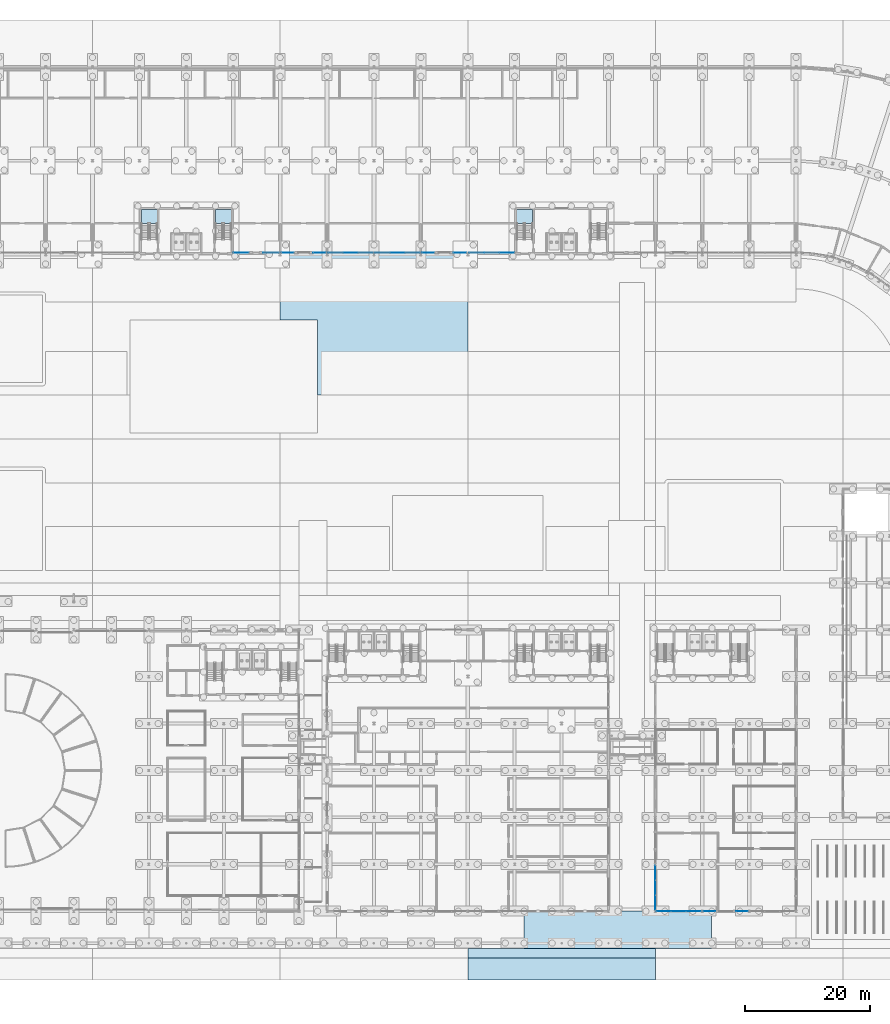
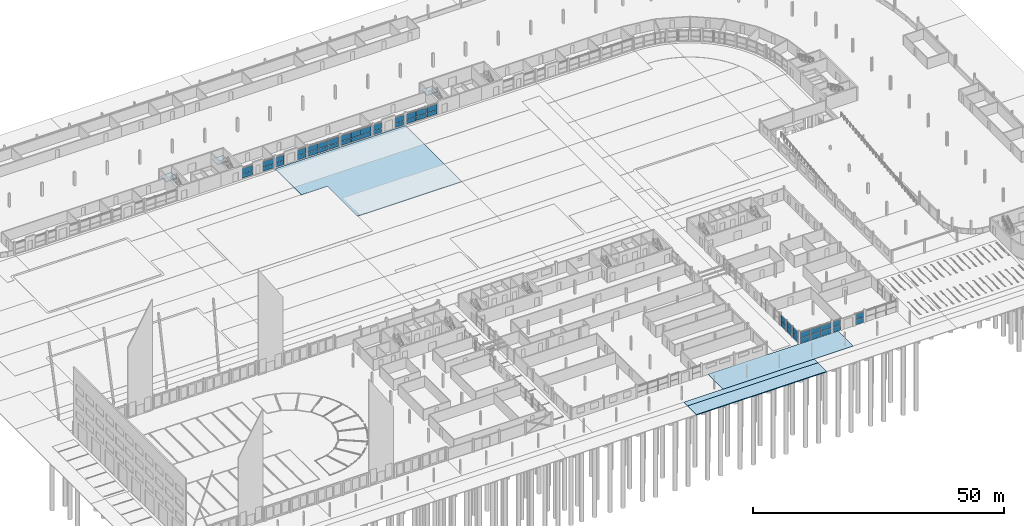
# One storey, part 70 of 130: 46 plates, 7 slabs, 16 elements without a shape of their own.
"""IFC4 building model written with IfcOpenShell, lengths in metres."""

from ifc_helpers import new_model, si_unit, direction, frame, origin, origin_2d, place, context, subcontext, project, spatial, polyline, rectangle, outline, extrude, material, layer, layer_set, type_object, element, aggregate, save


model = new_model("IFC4")

# Units and contexts
model_context = context("Model", 3, precision=1e-05, world=origin(), true_north=direction((0.0, 1.0)))
body_context = subcontext(model_context, "Body", "Model", "MODEL_VIEW")
ifc_project = project(units=[si_unit("LENGTHUNIT", "METRE"), si_unit("AREAUNIT", "SQUARE_METRE"), si_unit("VOLUMEUNIT", "CUBIC_METRE"), si_unit("PLANEANGLEUNIT", "RADIAN"), si_unit("MASSUNIT", "GRAM", prefix="KILO")], contexts=[model_context])

# Site, building, storey
site_placement = place(None, origin())
site = spatial("IfcSite", under=ifc_project, at=site_placement, CompositionType="ELEMENT")
building_placement = place(site_placement, origin())
building = spatial("IfcBuilding", under=site, at=building_placement, Name="Parallax Yard Mobility Hub", CompositionType="ELEMENT")
storey_placement = place(building_placement, origin())
storey = spatial("IfcBuildingStorey", under=building, at=storey_placement, Name="L00", CompositionType="ELEMENT", Elevation=0.0)

# Slab
ifc_material_1 = material(Name="Concrete fc' 28 MPa", Category="concrete")
ifc_layer_1 = layer(ifc_material_1, 0.1201171875)
ifc_layer_set_1 = layer_set([ifc_layer_1], Name="Arcade floor paving 120")
slab_type_1 = type_object("IfcSlabType", Name="Arcade floor paving 120", PredefinedType="FLOOR", material=ifc_layer_set_1)
slab_1_placement = place(storey_placement, frame((0.0, 0.0, -0.1201171875)))
element("IfcSlab", 1, at=slab_1_placement, inside=storey, type_object=slab_type_1, Name="Arcade paving panel 5", PredefinedType="FLOOR", context=body_context, shape_type="SweptSolid", body=[
    extrude(outline(polyline([(159.0, 1.5), (159.0, 7.5), (129.0, 7.5), (129.0, 1.5), (159.0, 1.5)])), origin(), (0.0, 0.0, 1.0), 0.1201171875),
])

# Curtain wall, plates
ifc_material_2 = material(Name="Aluminium and glass curtain wall", Category="aluminium")
curtain_wall_type_1 = type_object("IfcCurtainWallType", Name="Curtain wall, aluminium stick system", PredefinedType="NOTDEFINED", material=ifc_material_2)
curtain_wall_1_placement = place(storey_placement, origin())
curtain_wall_1 = element("IfcCurtainWall", 2, at=curtain_wall_1_placement, inside=storey, type_object=curtain_wall_type_1, Name="Curtain wall CW09 level L00 bay 7", PredefinedType="NOTDEFINED")
ifc_material_3 = material(Name="Glass, laminated double glazing", Category="glass")
ifc_layer_2 = layer(ifc_material_3, 0.028076171875)
ifc_layer_set_2 = layer_set([ifc_layer_2], Name="Curtain wall glass, laminated double glazing 28")
plate_type_1 = type_object("IfcPlateType", Name="Curtain wall glass, laminated double glazing 28", PredefinedType="CURTAIN_PANEL", material=ifc_layer_set_2)
plate_1_placement = place(storey_placement, frame((83.779541015625, 112.800048828125, 0.06005859375), z_axis=(0.0, 0.0, 1.0), x_axis=(1.0, 0.0, 0.0)))
plate_1 = element("IfcPlate", 3, at=plate_1_placement, type_object=plate_type_1, Name="CW09 panel 1.1", PredefinedType="CURTAIN_PANEL", context=body_context, shape_type="SweptSolid", body=[
    extrude(rectangle(XDim=2.428955078125, YDim=0.028076171875, at=origin_2d()), origin(), (0.0, 0.0, 1.0), 0.9599609375),
])
plate_2_placement = place(storey_placement, frame((83.779541015625, 112.800048828125, 1.080078125), z_axis=(0.0, 0.0, 1.0), x_axis=(1.0, 0.0, 0.0)))
plate_2 = element("IfcPlate", 4, at=plate_2_placement, type_object=plate_type_1, Name="CW09 panel 1.2", PredefinedType="CURTAIN_PANEL", context=body_context, shape_type="SweptSolid", body=[
    extrude(rectangle(XDim=2.428955078125, YDim=0.028076171875, at=origin_2d()), origin(), (0.0, 0.0, 1.0), 1.360107421875),
])
aggregate(curtain_wall_1, [plate_1, plate_2])

curtain_wall_2_placement = place(storey_placement, origin())
curtain_wall_2 = element("IfcCurtainWall", 5, at=curtain_wall_2_placement, inside=storey, type_object=curtain_wall_type_1, Name="Curtain wall CW10 level L00 bay 7", PredefinedType="NOTDEFINED")
plate_3_placement = place(storey_placement, frame((88.528564453125, 112.800048828125, 0.06005859375), z_axis=(0.0, 0.0, 1.0), x_axis=(1.0, 0.0, 0.0)))
plate_3 = element("IfcPlate", 6, at=plate_3_placement, type_object=plate_type_1, Name="CW10 panel 1.1", PredefinedType="CURTAIN_PANEL", context=body_context, shape_type="SweptSolid", body=[
    extrude(rectangle(XDim=2.428955078125, YDim=0.028076171875, at=origin_2d()), origin(), (0.0, 0.0, 1.0), 0.9599609375),
])
plate_4_placement = place(storey_placement, frame((88.528564453125, 112.800048828125, 1.080078125), z_axis=(0.0, 0.0, 1.0), x_axis=(1.0, 0.0, 0.0)))
plate_4 = element("IfcPlate", 7, at=plate_4_placement, type_object=plate_type_1, Name="CW10 panel 1.2", PredefinedType="CURTAIN_PANEL", context=body_context, shape_type="SweptSolid", body=[
    extrude(rectangle(XDim=2.428955078125, YDim=0.028076171875, at=origin_2d()), origin(), (0.0, 0.0, 1.0), 1.360107421875),
])
aggregate(curtain_wall_2, [plate_3, plate_4])

curtain_wall_3_placement = place(storey_placement, origin())
curtain_wall_3 = element("IfcCurtainWall", 8, at=curtain_wall_3_placement, inside=storey, type_object=curtain_wall_type_1, Name="Curtain wall CW11 level L00 bay 8", PredefinedType="NOTDEFINED")
plate_5_placement = place(storey_placement, frame((91.234375, 112.800048828125, 0.06005859375), z_axis=(0.0, 0.0, 1.0), x_axis=(1.0, 0.0, 0.0)))
plate_5 = element("IfcPlate", 9, at=plate_5_placement, type_object=plate_type_1, Name="CW11 panel 1.1", PredefinedType="CURTAIN_PANEL", context=body_context, shape_type="SweptSolid", body=[
    extrude(rectangle(XDim=1.95458984375, YDim=0.028076171875, at=origin_2d()), origin(), (0.0, 0.0, 1.0), 0.9599609375),
])
plate_6_placement = place(storey_placement, frame((91.234375, 112.800048828125, 1.080078125), z_axis=(0.0, 0.0, 1.0), x_axis=(1.0, 0.0, 0.0)))
plate_6 = element("IfcPlate", 10, at=plate_6_placement, type_object=plate_type_1, Name="CW11 panel 1.2", PredefinedType="CURTAIN_PANEL", context=body_context, shape_type="SweptSolid", body=[
    extrude(rectangle(XDim=1.95458984375, YDim=0.028076171875, at=origin_2d()), origin(), (0.0, 0.0, 1.0), 1.360107421875),
])
aggregate(curtain_wall_3, [plate_5, plate_6])

curtain_wall_4_placement = place(storey_placement, origin())
curtain_wall_4 = element("IfcCurtainWall", 11, at=curtain_wall_4_placement, inside=storey, type_object=curtain_wall_type_1, Name="Curtain wall CW12 level L00 bay 8", PredefinedType="NOTDEFINED")
plate_7_placement = place(storey_placement, frame((96.30908203125, 112.800048828125, 0.06005859375), z_axis=(0.0, 0.0, 1.0), x_axis=(1.0, 0.0, 0.0)))
plate_7 = element("IfcPlate", 12, at=plate_7_placement, type_object=plate_type_1, Name="CW12 panel 1.1", PredefinedType="CURTAIN_PANEL", context=body_context, shape_type="SweptSolid", body=[
    extrude(rectangle(XDim=1.954833984375, YDim=0.028076171875, at=origin_2d()), origin(), (0.0, 0.0, 1.0), 0.9599609375),
])
plate_8_placement = place(storey_placement, frame((96.30908203125, 112.800048828125, 1.080078125), z_axis=(0.0, 0.0, 1.0), x_axis=(1.0, 0.0, 0.0)))
plate_8 = element("IfcPlate", 13, at=plate_8_placement, type_object=plate_type_1, Name="CW12 panel 1.2", PredefinedType="CURTAIN_PANEL", context=body_context, shape_type="SweptSolid", body=[
    extrude(rectangle(XDim=1.954833984375, YDim=0.028076171875, at=origin_2d()), origin(), (0.0, 0.0, 1.0), 1.360107421875),
])
aggregate(curtain_wall_4, [plate_7, plate_8])

curtain_wall_5_placement = place(storey_placement, origin())
curtain_wall_5 = element("IfcCurtainWall", 14, at=curtain_wall_5_placement, inside=storey, type_object=curtain_wall_type_1, Name="Curtain wall CW13 level L00 bay 9", PredefinedType="NOTDEFINED")
plate_9_placement = place(storey_placement, frame((98.867431640625, 112.800048828125, 0.06005859375), z_axis=(0.0, 0.0, 1.0), x_axis=(1.0, 0.0, 0.0)))
plate_9 = element("IfcPlate", 15, at=plate_9_placement, type_object=plate_type_1, Name="CW13 panel 1.1", PredefinedType="CURTAIN_PANEL", context=body_context, shape_type="SweptSolid", body=[
    extrude(rectangle(XDim=2.3076171875, YDim=0.028076171875, at=origin_2d()), origin(), (0.0, 0.0, 1.0), 0.9599609375),
])
plate_10_placement = place(storey_placement, frame((98.867431640625, 112.800048828125, 1.080078125), z_axis=(0.0, 0.0, 1.0), x_axis=(1.0, 0.0, 0.0)))
plate_10 = element("IfcPlate", 16, at=plate_10_placement, type_object=plate_type_1, Name="CW13 panel 1.2", PredefinedType="CURTAIN_PANEL", context=body_context, shape_type="SweptSolid", body=[
    extrude(rectangle(XDim=2.3076171875, YDim=0.028076171875, at=origin_2d()), origin(), (0.0, 0.0, 1.0), 1.360107421875),
])
plate_11_placement = place(storey_placement, frame((101.25, 112.800048828125, 0.06005859375), z_axis=(0.0, 0.0, 1.0), x_axis=(1.0, 0.0, 0.0)))
plate_11 = element("IfcPlate", 17, at=plate_11_placement, type_object=plate_type_1, Name="CW13 panel 2.1", PredefinedType="CURTAIN_PANEL", context=body_context, shape_type="SweptSolid", body=[
    extrude(rectangle(XDim=2.337646484375, YDim=0.028076171875, at=origin_2d()), origin(), (0.0, 0.0, 1.0), 0.9599609375),
])
plate_12_placement = place(storey_placement, frame((101.25, 112.800048828125, 1.080078125), z_axis=(0.0, 0.0, 1.0), x_axis=(1.0, 0.0, 0.0)))
plate_12 = element("IfcPlate", 18, at=plate_12_placement, type_object=plate_type_1, Name="CW13 panel 2.2", PredefinedType="CURTAIN_PANEL", context=body_context, shape_type="SweptSolid", body=[
    extrude(rectangle(XDim=2.337646484375, YDim=0.028076171875, at=origin_2d()), origin(), (0.0, 0.0, 1.0), 1.360107421875),
])
plate_13_placement = place(storey_placement, frame((103.632568359375, 112.800048828125, 0.06005859375), z_axis=(0.0, 0.0, 1.0), x_axis=(1.0, 0.0, 0.0)))
plate_13 = element("IfcPlate", 19, at=plate_13_placement, type_object=plate_type_1, Name="CW13 panel 3.1", PredefinedType="CURTAIN_PANEL", context=body_context, shape_type="SweptSolid", body=[
    extrude(rectangle(XDim=2.3076171875, YDim=0.028076171875, at=origin_2d()), origin(), (0.0, 0.0, 1.0), 0.9599609375),
])
plate_14_placement = place(storey_placement, frame((103.632568359375, 112.800048828125, 1.080078125), z_axis=(0.0, 0.0, 1.0), x_axis=(1.0, 0.0, 0.0)))
plate_14 = element("IfcPlate", 20, at=plate_14_placement, type_object=plate_type_1, Name="CW13 panel 3.2", PredefinedType="CURTAIN_PANEL", context=body_context, shape_type="SweptSolid", body=[
    extrude(rectangle(XDim=2.3076171875, YDim=0.028076171875, at=origin_2d()), origin(), (0.0, 0.0, 1.0), 1.360107421875),
])
aggregate(curtain_wall_5, [plate_9, plate_10, plate_11, plate_12, plate_13, plate_14])

curtain_wall_6_placement = place(storey_placement, origin())
curtain_wall_6 = element("IfcCurtainWall", 21, at=curtain_wall_6_placement, inside=storey, type_object=curtain_wall_type_1, Name="Curtain wall CW14 level L00 bay 10", PredefinedType="NOTDEFINED")
plate_15_placement = place(storey_placement, frame((106.367431640625, 112.800048828125, 0.06005859375), z_axis=(0.0, 0.0, 1.0), x_axis=(1.0, 0.0, 0.0)))
plate_15 = element("IfcPlate", 22, at=plate_15_placement, type_object=plate_type_1, Name="CW14 panel 1.1", PredefinedType="CURTAIN_PANEL", context=body_context, shape_type="SweptSolid", body=[
    extrude(rectangle(XDim=2.3076171875, YDim=0.028076171875, at=origin_2d()), origin(), (0.0, 0.0, 1.0), 0.9599609375),
])
plate_16_placement = place(storey_placement, frame((106.367431640625, 112.800048828125, 1.080078125), z_axis=(0.0, 0.0, 1.0), x_axis=(1.0, 0.0, 0.0)))
plate_16 = element("IfcPlate", 23, at=plate_16_placement, type_object=plate_type_1, Name="CW14 panel 1.2", PredefinedType="CURTAIN_PANEL", context=body_context, shape_type="SweptSolid", body=[
    extrude(rectangle(XDim=2.3076171875, YDim=0.028076171875, at=origin_2d()), origin(), (0.0, 0.0, 1.0), 1.360107421875),
])
plate_17_placement = place(storey_placement, frame((108.75, 112.800048828125, 0.06005859375), z_axis=(0.0, 0.0, 1.0), x_axis=(1.0, 0.0, 0.0)))
plate_17 = element("IfcPlate", 24, at=plate_17_placement, type_object=plate_type_1, Name="CW14 panel 2.1", PredefinedType="CURTAIN_PANEL", context=body_context, shape_type="SweptSolid", body=[
    extrude(rectangle(XDim=2.337646484375, YDim=0.028076171875, at=origin_2d()), origin(), (0.0, 0.0, 1.0), 0.9599609375),
])
plate_18_placement = place(storey_placement, frame((108.75, 112.800048828125, 1.080078125), z_axis=(0.0, 0.0, 1.0), x_axis=(1.0, 0.0, 0.0)))
plate_18 = element("IfcPlate", 25, at=plate_18_placement, type_object=plate_type_1, Name="CW14 panel 2.2", PredefinedType="CURTAIN_PANEL", context=body_context, shape_type="SweptSolid", body=[
    extrude(rectangle(XDim=2.337646484375, YDim=0.028076171875, at=origin_2d()), origin(), (0.0, 0.0, 1.0), 1.360107421875),
])
plate_19_placement = place(storey_placement, frame((111.132568359375, 112.800048828125, 0.06005859375), z_axis=(0.0, 0.0, 1.0), x_axis=(1.0, 0.0, 0.0)))
plate_19 = element("IfcPlate", 26, at=plate_19_placement, type_object=plate_type_1, Name="CW14 panel 3.1", PredefinedType="CURTAIN_PANEL", context=body_context, shape_type="SweptSolid", body=[
    extrude(rectangle(XDim=2.3076171875, YDim=0.028076171875, at=origin_2d()), origin(), (0.0, 0.0, 1.0), 0.9599609375),
])
plate_20_placement = place(storey_placement, frame((111.132568359375, 112.800048828125, 1.080078125), z_axis=(0.0, 0.0, 1.0), x_axis=(1.0, 0.0, 0.0)))
plate_20 = element("IfcPlate", 27, at=plate_20_placement, type_object=plate_type_1, Name="CW14 panel 3.2", PredefinedType="CURTAIN_PANEL", context=body_context, shape_type="SweptSolid", body=[
    extrude(rectangle(XDim=2.3076171875, YDim=0.028076171875, at=origin_2d()), origin(), (0.0, 0.0, 1.0), 1.360107421875),
])
aggregate(curtain_wall_6, [plate_15, plate_16, plate_17, plate_18, plate_19, plate_20])

curtain_wall_7_placement = place(storey_placement, origin())
curtain_wall_7 = element("IfcCurtainWall", 28, at=curtain_wall_7_placement, inside=storey, type_object=curtain_wall_type_1, Name="Curtain wall CW15 level L00 bay 11", PredefinedType="NOTDEFINED")
plate_21_placement = place(storey_placement, frame((113.69091796875, 112.800048828125, 0.06005859375), z_axis=(0.0, 0.0, 1.0), x_axis=(1.0, 0.0, 0.0)))
plate_21 = element("IfcPlate", 29, at=plate_21_placement, type_object=plate_type_1, Name="CW15 panel 1.1", PredefinedType="CURTAIN_PANEL", context=body_context, shape_type="SweptSolid", body=[
    extrude(rectangle(XDim=1.954833984375, YDim=0.028076171875, at=origin_2d()), origin(), (0.0, 0.0, 1.0), 0.9599609375),
])
plate_22_placement = place(storey_placement, frame((113.69091796875, 112.800048828125, 1.080078125), z_axis=(0.0, 0.0, 1.0), x_axis=(1.0, 0.0, 0.0)))
plate_22 = element("IfcPlate", 30, at=plate_22_placement, type_object=plate_type_1, Name="CW15 panel 1.2", PredefinedType="CURTAIN_PANEL", context=body_context, shape_type="SweptSolid", body=[
    extrude(rectangle(XDim=1.954833984375, YDim=0.028076171875, at=origin_2d()), origin(), (0.0, 0.0, 1.0), 1.360107421875),
])
aggregate(curtain_wall_7, [plate_21, plate_22])

curtain_wall_8_placement = place(storey_placement, origin())
curtain_wall_8 = element("IfcCurtainWall", 31, at=curtain_wall_8_placement, inside=storey, type_object=curtain_wall_type_1, Name="Curtain wall CW16 level L00 bay 11", PredefinedType="NOTDEFINED")
plate_23_placement = place(storey_placement, frame((118.765625, 112.800048828125, 0.06005859375), z_axis=(0.0, 0.0, 1.0), x_axis=(1.0, 0.0, 0.0)))
plate_23 = element("IfcPlate", 32, at=plate_23_placement, type_object=plate_type_1, Name="CW16 panel 1.1", PredefinedType="CURTAIN_PANEL", context=body_context, shape_type="SweptSolid", body=[
    extrude(rectangle(XDim=1.95458984375, YDim=0.028076171875, at=origin_2d()), origin(), (0.0, 0.0, 1.0), 0.9599609375),
])
plate_24_placement = place(storey_placement, frame((118.765625, 112.800048828125, 1.080078125), z_axis=(0.0, 0.0, 1.0), x_axis=(1.0, 0.0, 0.0)))
plate_24 = element("IfcPlate", 33, at=plate_24_placement, type_object=plate_type_1, Name="CW16 panel 1.2", PredefinedType="CURTAIN_PANEL", context=body_context, shape_type="SweptSolid", body=[
    extrude(rectangle(XDim=1.95458984375, YDim=0.028076171875, at=origin_2d()), origin(), (0.0, 0.0, 1.0), 1.360107421875),
])
aggregate(curtain_wall_8, [plate_23, plate_24])

curtain_wall_9_placement = place(storey_placement, origin())
curtain_wall_9 = element("IfcCurtainWall", 34, at=curtain_wall_9_placement, inside=storey, type_object=curtain_wall_type_1, Name="Curtain wall CW17 level L00 bay 12", PredefinedType="NOTDEFINED")
plate_25_placement = place(storey_placement, frame((121.42822265625, 112.800048828125, 0.06005859375), z_axis=(0.0, 0.0, 1.0), x_axis=(1.0, 0.0, 0.0)))
plate_25 = element("IfcPlate", 35, at=plate_25_placement, type_object=plate_type_1, Name="CW17 panel 1.1", PredefinedType="CURTAIN_PANEL", context=body_context, shape_type="SweptSolid", body=[
    extrude(rectangle(XDim=2.3427734375, YDim=0.028076171875, at=origin_2d()), origin(), (0.0, 0.0, 1.0), 0.9599609375),
])
plate_26_placement = place(storey_placement, frame((121.42822265625, 112.800048828125, 1.080078125), z_axis=(0.0, 0.0, 1.0), x_axis=(1.0, 0.0, 0.0)))
plate_26 = element("IfcPlate", 36, at=plate_26_placement, type_object=plate_type_1, Name="CW17 panel 1.2", PredefinedType="CURTAIN_PANEL", context=body_context, shape_type="SweptSolid", body=[
    extrude(rectangle(XDim=2.3427734375, YDim=0.028076171875, at=origin_2d()), origin(), (0.0, 0.0, 1.0), 1.360107421875),
])
plate_27_placement = place(storey_placement, frame((123.845947265625, 112.800048828125, 0.06005859375), z_axis=(0.0, 0.0, 1.0), x_axis=(1.0, 0.0, 0.0)))
plate_27 = element("IfcPlate", 37, at=plate_27_placement, type_object=plate_type_1, Name="CW17 panel 2.1", PredefinedType="CURTAIN_PANEL", context=body_context, shape_type="SweptSolid", body=[
    extrude(rectangle(XDim=2.37255859375, YDim=0.028076171875, at=origin_2d()), origin(), (0.0, 0.0, 1.0), 0.9599609375),
])
plate_28_placement = place(storey_placement, frame((123.845947265625, 112.800048828125, 1.080078125), z_axis=(0.0, 0.0, 1.0), x_axis=(1.0, 0.0, 0.0)))
plate_28 = element("IfcPlate", 38, at=plate_28_placement, type_object=plate_type_1, Name="CW17 panel 2.2", PredefinedType="CURTAIN_PANEL", context=body_context, shape_type="SweptSolid", body=[
    extrude(rectangle(XDim=2.37255859375, YDim=0.028076171875, at=origin_2d()), origin(), (0.0, 0.0, 1.0), 1.360107421875),
])
plate_29_placement = place(storey_placement, frame((126.263671875, 112.800048828125, 0.06005859375), z_axis=(0.0, 0.0, 1.0), x_axis=(1.0, 0.0, 0.0)))
plate_29 = element("IfcPlate", 39, at=plate_29_placement, type_object=plate_type_1, Name="CW17 panel 3.1", PredefinedType="CURTAIN_PANEL", context=body_context, shape_type="SweptSolid", body=[
    extrude(rectangle(XDim=2.3427734375, YDim=0.028076171875, at=origin_2d()), origin(), (0.0, 0.0, 1.0), 0.9599609375),
])
plate_30_placement = place(storey_placement, frame((126.263671875, 112.800048828125, 1.080078125), z_axis=(0.0, 0.0, 1.0), x_axis=(1.0, 0.0, 0.0)))
plate_30 = element("IfcPlate", 40, at=plate_30_placement, type_object=plate_type_1, Name="CW17 panel 3.2", PredefinedType="CURTAIN_PANEL", context=body_context, shape_type="SweptSolid", body=[
    extrude(rectangle(XDim=2.3427734375, YDim=0.028076171875, at=origin_2d()), origin(), (0.0, 0.0, 1.0), 1.360107421875),
])
aggregate(curtain_wall_9, [plate_25, plate_26, plate_27, plate_28, plate_29, plate_30])

# Stair, slab
ifc_material_4 = material(Name="Concrete fc' 35 MPa", Category="concrete")
stair_type = type_object("IfcStairType", Name="Exit stair 1200 dog-leg", PredefinedType="HALF_TURN_STAIR", material=ifc_material_4)
stair_1_placement = place(storey_placement, origin())
stair_1 = element("IfcStair", 41, at=stair_1_placement, inside=storey, type_object=stair_type, Name="L00 Exit stair 1 of core C-N1", PredefinedType="HALF_TURN_STAIR")
ifc_layer_3 = layer(ifc_material_4, 0.199951171875)
ifc_layer_set_3 = layer_set([ifc_layer_3], Name="Exit stair landing 200")
slab_type_2 = type_object("IfcSlabType", Name="Exit stair landing 200", PredefinedType="LANDING", material=ifc_layer_set_3)
slab_2_placement = place(storey_placement, frame((0.0, 0.0, 1.449951171875)))
slab_2 = element("IfcSlab", 42, at=slab_2_placement, type_object=slab_type_2, Name="ST3 landing 1", PredefinedType="LANDING", context=body_context, shape_type="SweptSolid", body=[
    extrude(outline(polyline([(82.199951171875, 117.465087890625), (82.199951171875, 119.699951171875), (79.64990234375, 119.699951171875), (79.64990234375, 117.465087890625), (82.199951171875, 117.465087890625)])), origin(), (0.0, 0.0, 1.0), 0.199951171875),
])
aggregate(stair_1, [slab_2])

stair_2_placement = place(storey_placement, origin())
stair_2 = element("IfcStair", 43, at=stair_2_placement, inside=storey, type_object=stair_type, Name="L00 Exit stair 2 of core C-N1", PredefinedType="HALF_TURN_STAIR")
slab_3_placement = place(storey_placement, frame((0.0, 0.0, 1.449951171875)))
slab_3 = element("IfcSlab", 44, at=slab_3_placement, type_object=slab_type_2, Name="ST4 landing 1", PredefinedType="LANDING", context=body_context, shape_type="SweptSolid", body=[
    extrude(outline(polyline([(70.35009765625, 117.465087890625), (70.35009765625, 119.699951171875), (67.800048828125, 119.699951171875), (67.800048828125, 117.465087890625), (70.35009765625, 117.465087890625)])), origin(), (0.0, 0.0, 1.0), 0.199951171875),
])
aggregate(stair_2, [slab_3])

stair_3_placement = place(storey_placement, origin())
stair_3 = element("IfcStair", 45, at=stair_3_placement, inside=storey, type_object=stair_type, Name="L00 Exit stair 2 of core C-N2", PredefinedType="HALF_TURN_STAIR")
slab_4_placement = place(storey_placement, frame((0.0, 0.0, 1.449951171875)))
slab_4 = element("IfcSlab", 46, at=slab_4_placement, type_object=slab_type_2, Name="ST6 landing 1", PredefinedType="LANDING", context=body_context, shape_type="SweptSolid", body=[
    extrude(outline(polyline([(130.35009765625, 117.465087890625), (130.35009765625, 119.699951171875), (127.800048828125, 119.699951171875), (127.800048828125, 117.465087890625), (130.35009765625, 117.465087890625)])), origin(), (0.0, 0.0, 1.0), 0.199951171875),
])
aggregate(stair_3, [slab_4])

# Curtain wall, plates
ifc_material_5 = material(Name="Thermally broken aluminium curtain wall system", Category="aluminium")
curtain_wall_type_2 = type_object("IfcCurtainWallType", Name="Curtain wall run 60 x 160 frame", PredefinedType="NOTDEFINED", material=ifc_material_5)
curtain_wall_10_placement = place(storey_placement, origin())
curtain_wall_10 = element("IfcCurtainWall", 47, at=curtain_wall_10_placement, inside=storey, type_object=curtain_wall_type_2, Name="Curtain wall run Bicycle and shared-mobility hall south bay 1 level L00", PredefinedType="NOTDEFINED")
ifc_material_6 = material(Name="Laminated low-E double glazing", Category="glass")
ifc_layer_4 = layer(ifc_material_6, 0.028076171875)
ifc_layer_set_4 = layer_set([ifc_layer_4], Name="Glazing panel 28")
plate_type_2 = type_object("IfcPlateType", Name="Glazing panel 28", PredefinedType="CURTAIN_PANEL", material=ifc_layer_set_4)
plate_31_placement = place(storey_placement, frame((151.367431640625, 7.5, 0.06005859375), z_axis=(0.0, 0.0, 1.0), x_axis=(1.0, 0.0, 0.0)))
plate_31 = element("IfcPlate", 48, at=plate_31_placement, type_object=plate_type_2, Name="CW1 panel 1.1", PredefinedType="CURTAIN_PANEL", context=body_context, shape_type="SweptSolid", body=[
    extrude(rectangle(XDim=2.3076171875, YDim=0.028076171875, at=origin_2d()), origin(), (0.0, 0.0, 1.0), 1.285400390625),
])
plate_32_placement = place(storey_placement, frame((151.367431640625, 7.5, 1.40576171875), z_axis=(0.0, 0.0, 1.0), x_axis=(1.0, 0.0, 0.0)))
plate_32 = element("IfcPlate", 49, at=plate_32_placement, type_object=plate_type_2, Name="CW1 panel 1.2", PredefinedType="CURTAIN_PANEL", context=body_context, shape_type="SweptSolid", body=[
    extrude(rectangle(XDim=2.3076171875, YDim=0.028076171875, at=origin_2d()), origin(), (0.0, 0.0, 1.0), 1.285400390625),
])
plate_33_placement = place(storey_placement, frame((153.75, 7.5, 0.06005859375), z_axis=(0.0, 0.0, 1.0), x_axis=(1.0, 0.0, 0.0)))
plate_33 = element("IfcPlate", 50, at=plate_33_placement, type_object=plate_type_2, Name="CW1 panel 2.1", PredefinedType="CURTAIN_PANEL", context=body_context, shape_type="SweptSolid", body=[
    extrude(rectangle(XDim=2.337646484375, YDim=0.028076171875, at=origin_2d()), origin(), (0.0, 0.0, 1.0), 1.285400390625),
])
plate_34_placement = place(storey_placement, frame((153.75, 7.5, 1.40576171875), z_axis=(0.0, 0.0, 1.0), x_axis=(1.0, 0.0, 0.0)))
plate_34 = element("IfcPlate", 51, at=plate_34_placement, type_object=plate_type_2, Name="CW1 panel 2.2", PredefinedType="CURTAIN_PANEL", context=body_context, shape_type="SweptSolid", body=[
    extrude(rectangle(XDim=2.337646484375, YDim=0.028076171875, at=origin_2d()), origin(), (0.0, 0.0, 1.0), 1.285400390625),
])
plate_35_placement = place(storey_placement, frame((156.132568359375, 7.5, 0.06005859375), z_axis=(0.0, 0.0, 1.0), x_axis=(1.0, 0.0, 0.0)))
plate_35 = element("IfcPlate", 52, at=plate_35_placement, type_object=plate_type_2, Name="CW1 panel 3.1", PredefinedType="CURTAIN_PANEL", context=body_context, shape_type="SweptSolid", body=[
    extrude(rectangle(XDim=2.3076171875, YDim=0.028076171875, at=origin_2d()), origin(), (0.0, 0.0, 1.0), 1.285400390625),
])
plate_36_placement = place(storey_placement, frame((156.132568359375, 7.5, 1.40576171875), z_axis=(0.0, 0.0, 1.0), x_axis=(1.0, 0.0, 0.0)))
plate_36 = element("IfcPlate", 53, at=plate_36_placement, type_object=plate_type_2, Name="CW1 panel 3.2", PredefinedType="CURTAIN_PANEL", context=body_context, shape_type="SweptSolid", body=[
    extrude(rectangle(XDim=2.3076171875, YDim=0.028076171875, at=origin_2d()), origin(), (0.0, 0.0, 1.0), 1.285400390625),
])
aggregate(curtain_wall_10, [plate_31, plate_32, plate_33, plate_34, plate_35, plate_36])

curtain_wall_11_placement = place(storey_placement, origin())
curtain_wall_11 = element("IfcCurtainWall", 54, at=curtain_wall_11_placement, inside=storey, type_object=curtain_wall_type_2, Name="Curtain wall run Bicycle and shared-mobility hall south bay 2 level L00", PredefinedType="NOTDEFINED")
plate_37_placement = place(storey_placement, frame((158.626708984375, 7.5, 0.06005859375), z_axis=(0.0, 0.0, 1.0), x_axis=(1.0, 0.0, 0.0)))
plate_37 = element("IfcPlate", 55, at=plate_37_placement, type_object=plate_type_2, Name="CW1 panel 1.1", PredefinedType="CURTAIN_PANEL", context=body_context, shape_type="SweptSolid", body=[
    extrude(rectangle(XDim=1.826416015625, YDim=0.028076171875, at=origin_2d()), origin(), (0.0, 0.0, 1.0), 1.285400390625),
])
plate_38_placement = place(storey_placement, frame((158.626708984375, 7.5, 1.40576171875), z_axis=(0.0, 0.0, 1.0), x_axis=(1.0, 0.0, 0.0)))
plate_38 = element("IfcPlate", 56, at=plate_38_placement, type_object=plate_type_2, Name="CW1 panel 1.2", PredefinedType="CURTAIN_PANEL", context=body_context, shape_type="SweptSolid", body=[
    extrude(rectangle(XDim=1.826416015625, YDim=0.028076171875, at=origin_2d()), origin(), (0.0, 0.0, 1.0), 1.285400390625),
])
aggregate(curtain_wall_11, [plate_37, plate_38])

curtain_wall_12_placement = place(storey_placement, origin())
curtain_wall_12 = element("IfcCurtainWall", 57, at=curtain_wall_12_placement, inside=storey, type_object=curtain_wall_type_2, Name="Curtain wall run Bicycle and shared-mobility hall south bay 2 level L00", PredefinedType="NOTDEFINED")
plate_39_placement = place(storey_placement, frame((163.873291015625, 7.5, 0.06005859375), z_axis=(0.0, 0.0, 1.0), x_axis=(1.0, 0.0, 0.0)))
plate_39 = element("IfcPlate", 58, at=plate_39_placement, type_object=plate_type_2, Name="CW1 panel 1.1", PredefinedType="CURTAIN_PANEL", context=body_context, shape_type="SweptSolid", body=[
    extrude(rectangle(XDim=1.826416015625, YDim=0.028076171875, at=origin_2d()), origin(), (0.0, 0.0, 1.0), 1.285400390625),
])
plate_40_placement = place(storey_placement, frame((163.873291015625, 7.5, 1.40576171875), z_axis=(0.0, 0.0, 1.0), x_axis=(1.0, 0.0, 0.0)))
plate_40 = element("IfcPlate", 59, at=plate_40_placement, type_object=plate_type_2, Name="CW1 panel 1.2", PredefinedType="CURTAIN_PANEL", context=body_context, shape_type="SweptSolid", body=[
    extrude(rectangle(XDim=1.826416015625, YDim=0.028076171875, at=origin_2d()), origin(), (0.0, 0.0, 1.0), 1.285400390625),
])
aggregate(curtain_wall_12, [plate_39, plate_40])

curtain_wall_13_placement = place(storey_placement, origin())
curtain_wall_13 = element("IfcCurtainWall", 60, at=curtain_wall_13_placement, inside=storey, type_object=curtain_wall_type_2, Name="Curtain wall run Bicycle and shared-mobility hall west bay 1 level L00", PredefinedType="NOTDEFINED")
plate_41_placement = place(storey_placement, frame((150.0, 8.867431640625, 0.06005859375), z_axis=(0.0, 0.0, 1.0), x_axis=(0.0, 1.0, 0.0)))
plate_41 = element("IfcPlate", 61, at=plate_41_placement, type_object=plate_type_2, Name="CW1 panel 1.1", PredefinedType="CURTAIN_PANEL", context=body_context, shape_type="SweptSolid", body=[
    extrude(rectangle(XDim=2.3076171875, YDim=0.028076171875, at=origin_2d()), origin(), (0.0, 0.0, 1.0), 1.285400390625),
])
plate_42_placement = place(storey_placement, frame((150.0, 8.867431640625, 1.40576171875), z_axis=(0.0, 0.0, 1.0), x_axis=(0.0, 1.0, 0.0)))
plate_42 = element("IfcPlate", 62, at=plate_42_placement, type_object=plate_type_2, Name="CW1 panel 1.2", PredefinedType="CURTAIN_PANEL", context=body_context, shape_type="SweptSolid", body=[
    extrude(rectangle(XDim=2.3076171875, YDim=0.028076171875, at=origin_2d()), origin(), (0.0, 0.0, 1.0), 1.285400390625),
])
plate_43_placement = place(storey_placement, frame((150.0, 11.25, 0.06005859375), z_axis=(0.0, 0.0, 1.0), x_axis=(0.0, 1.0, 0.0)))
plate_43 = element("IfcPlate", 63, at=plate_43_placement, type_object=plate_type_2, Name="CW1 panel 2.1", PredefinedType="CURTAIN_PANEL", context=body_context, shape_type="SweptSolid", body=[
    extrude(rectangle(XDim=2.337646484375, YDim=0.028076171875, at=origin_2d()), origin(), (0.0, 0.0, 1.0), 1.285400390625),
])
plate_44_placement = place(storey_placement, frame((150.0, 11.25, 1.40576171875), z_axis=(0.0, 0.0, 1.0), x_axis=(0.0, 1.0, 0.0)))
plate_44 = element("IfcPlate", 64, at=plate_44_placement, type_object=plate_type_2, Name="CW1 panel 2.2", PredefinedType="CURTAIN_PANEL", context=body_context, shape_type="SweptSolid", body=[
    extrude(rectangle(XDim=2.337646484375, YDim=0.028076171875, at=origin_2d()), origin(), (0.0, 0.0, 1.0), 1.285400390625),
])
plate_45_placement = place(storey_placement, frame((150.0, 13.632568359375, 0.06005859375), z_axis=(0.0, 0.0, 1.0), x_axis=(0.0, 1.0, 0.0)))
plate_45 = element("IfcPlate", 65, at=plate_45_placement, type_object=plate_type_2, Name="CW1 panel 3.1", PredefinedType="CURTAIN_PANEL", context=body_context, shape_type="SweptSolid", body=[
    extrude(rectangle(XDim=2.3076171875, YDim=0.028076171875, at=origin_2d()), origin(), (0.0, 0.0, 1.0), 1.285400390625),
])
plate_46_placement = place(storey_placement, frame((150.0, 13.632568359375, 1.40576171875), z_axis=(0.0, 0.0, 1.0), x_axis=(0.0, 1.0, 0.0)))
plate_46 = element("IfcPlate", 66, at=plate_46_placement, type_object=plate_type_2, Name="CW1 panel 3.2", PredefinedType="CURTAIN_PANEL", context=body_context, shape_type="SweptSolid", body=[
    extrude(rectangle(XDim=2.3076171875, YDim=0.028076171875, at=origin_2d()), origin(), (0.0, 0.0, 1.0), 1.285400390625),
])
aggregate(curtain_wall_13, [plate_41, plate_42, plate_43, plate_44, plate_45, plate_46])

# Slabs
ifc_layer_5 = layer(ifc_material_1, 0.14990234375)
ifc_layer_set_5 = layer_set([ifc_layer_5], Name="Public yard paving 150")
slab_type_3 = type_object("IfcSlabType", Name="Public yard paving 150", PredefinedType="FLOOR", material=ifc_layer_set_5)
slab_5_placement = place(storey_placement, frame((0.0, 0.0, -0.14990234375)))
element("IfcSlab", 67, at=slab_5_placement, inside=storey, type_object=slab_type_3, Name="Public yard paving panel 16", PredefinedType="FLOOR", context=body_context, shape_type="SweptSolid", body=[
    extrude(outline(polyline([(90.09912109375, 112.5), (90.09912109375, 112.5), (90.09912109375, 112.499755859375), (90.09912109375, 112.499755859375), (90.09912109375, 112.49951171875), (90.09912109375, 112.49951171875), (90.09912109375, 112.49951171875), (90.09912109375, 112.49951171875), (90.099365234375, 112.499267578125), (90.099365234375, 112.499267578125), (90.099365234375, 112.499267578125), (90.099609375, 112.4990234375), (90.099609375, 112.4990234375), (90.099609375, 112.4990234375), (90.099853515625, 112.4990234375), (90.099853515625, 112.4990234375), (90.10009765625, 112.4990234375), (97.39990234375, 112.4990234375), (97.400146484375, 112.4990234375), (97.400146484375, 112.4990234375), (97.400390625, 112.4990234375), (97.400390625, 112.4990234375), (97.400390625, 112.4990234375), (97.400634765625, 112.499267578125), (97.400634765625, 112.499267578125), (97.400634765625, 112.499267578125), (97.40087890625, 112.49951171875), (97.40087890625, 112.49951171875), (97.40087890625, 112.49951171875), (97.40087890625, 112.49951171875), (97.40087890625, 112.499755859375), (97.40087890625, 112.499755859375), (97.40087890625, 112.5), (97.40087890625, 112.5), (97.59912109375, 112.5), (97.59912109375, 112.5), (97.59912109375, 112.499755859375), (97.59912109375, 112.499755859375), (97.59912109375, 112.49951171875), (97.59912109375, 112.49951171875), (97.59912109375, 112.49951171875), (97.59912109375, 112.49951171875), (97.599365234375, 112.499267578125), (97.599365234375, 112.499267578125), (97.599365234375, 112.499267578125), (97.599609375, 112.4990234375), (97.599609375, 112.4990234375), (97.599609375, 112.4990234375), (97.599853515625, 112.4990234375), (97.599853515625, 112.4990234375), (97.60009765625, 112.4990234375), (112.39990234375, 112.4990234375), (112.400146484375, 112.4990234375), (112.400146484375, 112.4990234375), (112.400390625, 112.4990234375), (112.400390625, 112.4990234375), (112.400390625, 112.4990234375), (112.400634765625, 112.499267578125), (112.400634765625, 112.499267578125), (112.400634765625, 112.499267578125), (112.40087890625, 112.49951171875), (112.40087890625, 112.49951171875), (112.40087890625, 112.49951171875), (112.40087890625, 112.49951171875), (112.40087890625, 112.499755859375), (112.40087890625, 112.499755859375), (112.40087890625, 112.5), (112.40087890625, 112.5), (112.59912109375, 112.5), (112.59912109375, 112.5), (112.59912109375, 112.499755859375), (112.59912109375, 112.499755859375), (112.59912109375, 112.49951171875), (112.59912109375, 112.49951171875), (112.59912109375, 112.49951171875), (112.59912109375, 112.49951171875), (112.599365234375, 112.499267578125), (112.599365234375, 112.499267578125), (112.599365234375, 112.499267578125), (112.599609375, 112.4990234375), (112.599609375, 112.4990234375), (112.599609375, 112.4990234375), (112.599853515625, 112.4990234375), (112.599853515625, 112.4990234375), (112.60009765625, 112.4990234375), (120.0, 112.4990234375), (120.0, 90.0), (96.0, 90.0), (96.0, 102.0), (90.0, 102.0), (90.0, 112.5), (90.09912109375, 112.5)])), origin(), (0.0, 0.0, 1.0), 0.14990234375),
])
ifc_layer_6 = layer(ifc_material_1, 0.199951171875)
ifc_layer_set_6 = layer_set([ifc_layer_6], Name="Street apron paving 200")
slab_type_4 = type_object("IfcSlabType", Name="Street apron paving 200", PredefinedType="FLOOR", material=ifc_layer_set_6)
slab_6_placement = place(storey_placement, frame((0.0, 0.0, -0.199951171875)))
element("IfcSlab", 68, at=slab_6_placement, inside=storey, type_object=slab_type_4, Name="Street apron paving panel 9", PredefinedType="FLOOR", context=body_context, shape_type="SweptSolid", body=[
    extrude(outline(polyline([(120.0, -3.5), (120.0, 0.0), (150.0, 0.0), (150.0, -3.5), (120.0, -3.5)])), origin(), (0.0, 0.0, 1.0), 0.199951171875),
])
slab_7_placement = place(storey_placement, frame((0.0, 0.0, -0.199951171875)))
element("IfcSlab", 69, at=slab_7_placement, inside=storey, type_object=slab_type_4, Name="Street apron paving panel 10", PredefinedType="FLOOR", context=body_context, shape_type="SweptSolid", body=[
    extrude(outline(polyline([(150.0, 1.5), (150.0, 0.0), (120.0, 0.0), (120.0, 1.5), (150.0, 1.5)])), origin(), (0.0, 0.0, 1.0), 0.199951171875),
])

save(model, "model.ifc")
